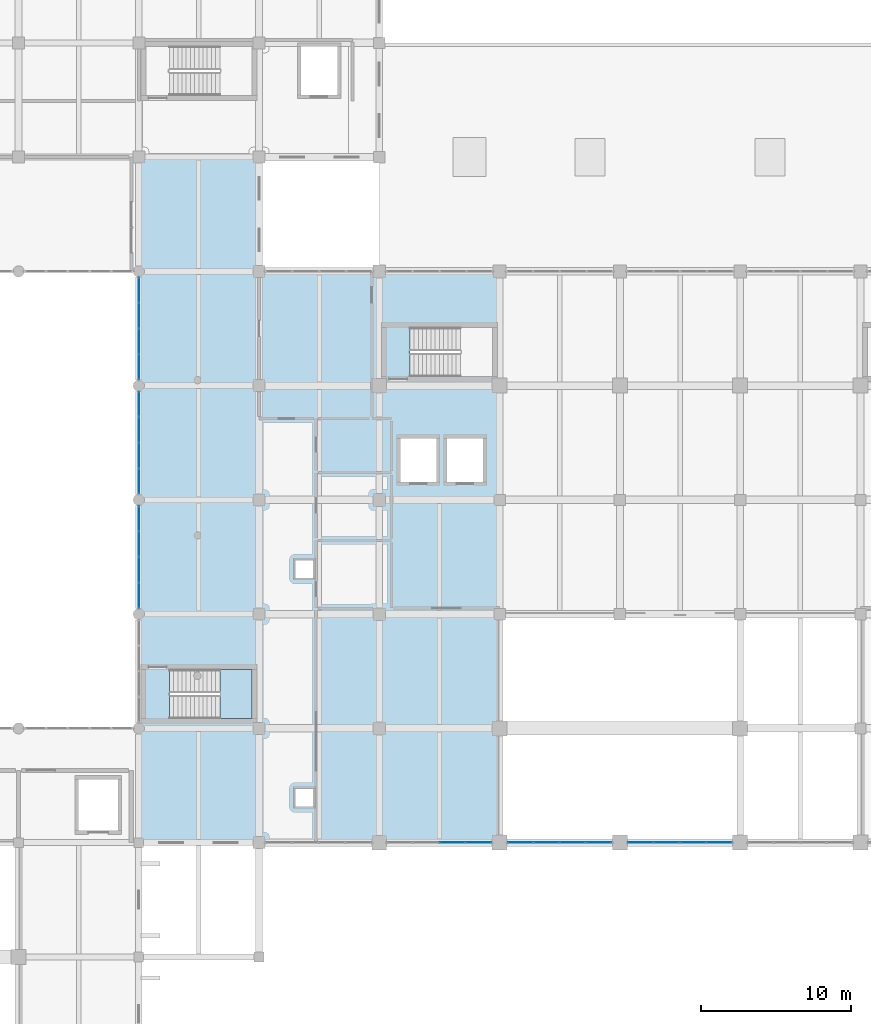
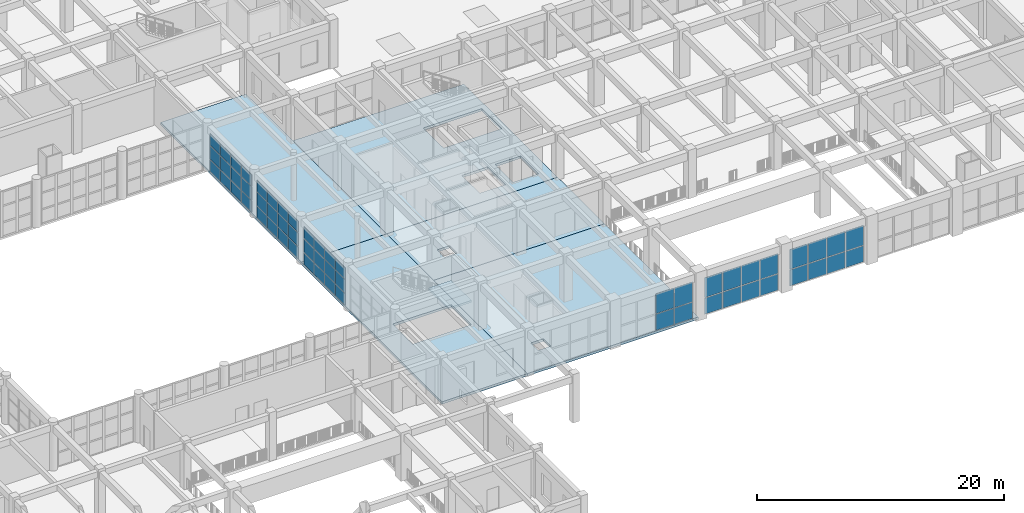
# One storey, part 63 of 101: 56 plates, 6 slabs, 7 elements without a shape of their own.
"""IFC4 building model written with IfcOpenShell, lengths in metres."""

from ifc_helpers import new_model, si_unit, direction, frame, origin, origin_2d, place, context, subcontext, project, spatial, polyline, rectangle, outline, extrude, material, layer, layer_set, type_object, element, aggregate, save


model = new_model("IFC4")

# Units and contexts
model_context = context("Model", 3, precision=1e-05, world=origin(), true_north=direction((0.0, 1.0)))
body_context = subcontext(model_context, "Body", "Model", "MODEL_VIEW")
ifc_project = project(units=[si_unit("LENGTHUNIT", "METRE"), si_unit("AREAUNIT", "SQUARE_METRE"), si_unit("VOLUMEUNIT", "CUBIC_METRE"), si_unit("PLANEANGLEUNIT", "RADIAN"), si_unit("MASSUNIT", "GRAM", prefix="KILO")], contexts=[model_context])

# Site, building, storey
site_placement = place(None, origin())
site = spatial("IfcSite", under=ifc_project, at=site_placement, CompositionType="ELEMENT")
building_placement = place(site_placement, origin())
building = spatial("IfcBuilding", under=site, at=building_placement, Name="Zantavel Square City Hall", CompositionType="ELEMENT")
storey_placement = place(building_placement, frame((0.0, 0.0, 5.39990234375)))
storey = spatial("IfcBuildingStorey", under=building, at=storey_placement, Name="L02", CompositionType="ELEMENT", Elevation=5.39990234375)

# Stair, slab
ifc_material_1 = material(Name="Concrete C35/45", Category="concrete")
stair_type = type_object("IfcStairType", Name="Enclosed Core Dogleg Stair L02 H4800", PredefinedType="HALF_TURN_STAIR", material=ifc_material_1)
stair_placement = place(storey_placement, origin())
stair = element("IfcStair", 1, at=stair_placement, inside=storey, type_object=stair_type, Name="L02 Exit Stair 3 West Pavilion Core", PredefinedType="HALF_TURN_STAIR")
ifc_layer_1 = layer(ifc_material_1, 0.2099609375, Name="Concrete C35/45")
ifc_layer_set_1 = layer_set([ifc_layer_1], Name="Concrete C35/45")
slab_type_1 = type_object("IfcSlabType", Name="Core Stair Half-Landing Slab C35/45", PredefinedType="LANDING", material=ifc_layer_set_1)
slab_1_placement = place(storey_placement, frame((0.0, 0.0, 2.2001953125)))
slab_1 = element("IfcSlab", 2, at=slab_1_placement, type_object=slab_type_1, Name="ST3 landing 1", PredefinedType="LANDING", context=body_context, shape_type="SweptSolid", body=[
    extrude(outline(polyline([(53.389892578125, 38.64990234375), (55.530029296875, 38.64990234375), (55.530029296875, 41.919921875), (53.389892578125, 41.919921875), (53.389892578125, 38.64990234375)])), origin(), (0.0, 0.0, 1.0), 0.199951171875),
])
aggregate(stair, [slab_1])

# Curtain wall, plates
ifc_material_2 = material(Name="Anodised aluminium 6063-T6", Category="aluminium")
curtain_wall_type_1 = type_object("IfcCurtainWallType", Name="Curtain Wall CRT 6850x3840", PredefinedType="USERDEFINED", material=ifc_material_2)
curtain_wall_1_placement = place(storey_placement, origin())
curtain_wall_1 = element("IfcCurtainWall", 3, at=curtain_wall_1_placement, inside=storey, type_object=curtain_wall_type_1, Name="L02 Glazed Curtain Wall CW-L02-079", ObjectType="GLAZED CURTAIN WALL", PredefinedType="USERDEFINED")
ifc_material_3 = material(Name="Tempered safety glass low-E double glazing", Category="glass")
ifc_layer_2 = layer(ifc_material_3, 0.028076171875, Name="Tempered safety glass low-E double glazing")
ifc_layer_set_2 = layer_set([ifc_layer_2], Name="Tempered safety glass low-E double glazing")
plate_type_1 = type_object("IfcPlateType", Name="Low-E Curtain Glazing Panel 1712x1280x28", PredefinedType="CURTAIN_PANEL", material=ifc_layer_set_2)
plate_1_placement = place(storey_placement, frame((48.0, 54.4462890625, 0.06005859375), z_axis=(0.0, 0.0, 1.0), x_axis=(0.0, 1.0, 0.0)))
plate_1 = element("IfcPlate", 4, at=plate_1_placement, type_object=plate_type_1, Name="CW-079 panel 1.1", PredefinedType="CURTAIN_PANEL", context=body_context, shape_type="SweptSolid", body=[
    extrude(rectangle(XDim=1.62255859375, YDim=0.028076171875, at=origin_2d()), origin(), (0.0, 0.0, 1.0), 1.138916015625),
])
plate_2_placement = place(storey_placement, frame((48.0, 54.4462890625, 1.25927734375), z_axis=(0.0, 0.0, 1.0), x_axis=(0.0, 1.0, 0.0)))
plate_2 = element("IfcPlate", 5, at=plate_2_placement, type_object=plate_type_1, Name="CW-079 panel 1.2", PredefinedType="CURTAIN_PANEL", context=body_context, shape_type="SweptSolid", body=[
    extrude(rectangle(XDim=1.62255859375, YDim=0.028076171875, at=origin_2d()), origin(), (0.0, 0.0, 1.0), 1.322021484375),
])
plate_3_placement = place(storey_placement, frame((48.0, 54.4462890625, 2.64111328125), z_axis=(0.0, 0.0, 1.0), x_axis=(0.0, 1.0, 0.0)))
plate_3 = element("IfcPlate", 6, at=plate_3_placement, type_object=plate_type_1, Name="CW-079 panel 1.3", PredefinedType="CURTAIN_PANEL", context=body_context, shape_type="SweptSolid", body=[
    extrude(rectangle(XDim=1.62255859375, YDim=0.028076171875, at=origin_2d()), origin(), (0.0, 0.0, 1.0), 1.138916015625),
])
plate_4_placement = place(storey_placement, frame((48.0, 56.143798828125, 0.06005859375), z_axis=(0.0, 0.0, 1.0), x_axis=(0.0, 1.0, 0.0)))
plate_4 = element("IfcPlate", 7, at=plate_4_placement, type_object=plate_type_1, Name="CW-079 panel 2.1", PredefinedType="CURTAIN_PANEL", context=body_context, shape_type="SweptSolid", body=[
    extrude(rectangle(XDim=1.652587890625, YDim=0.028076171875, at=origin_2d()), origin(), (0.0, 0.0, 1.0), 1.138916015625),
])
plate_5_placement = place(storey_placement, frame((48.0, 56.143798828125, 1.25927734375), z_axis=(0.0, 0.0, 1.0), x_axis=(0.0, 1.0, 0.0)))
plate_5 = element("IfcPlate", 8, at=plate_5_placement, type_object=plate_type_1, Name="CW-079 panel 2.2", PredefinedType="CURTAIN_PANEL", context=body_context, shape_type="SweptSolid", body=[
    extrude(rectangle(XDim=1.652587890625, YDim=0.028076171875, at=origin_2d()), origin(), (0.0, 0.0, 1.0), 1.322021484375),
])
plate_6_placement = place(storey_placement, frame((48.0, 56.143798828125, 2.64111328125), z_axis=(0.0, 0.0, 1.0), x_axis=(0.0, 1.0, 0.0)))
plate_6 = element("IfcPlate", 9, at=plate_6_placement, type_object=plate_type_1, Name="CW-079 panel 2.3", PredefinedType="CURTAIN_PANEL", context=body_context, shape_type="SweptSolid", body=[
    extrude(rectangle(XDim=1.652587890625, YDim=0.028076171875, at=origin_2d()), origin(), (0.0, 0.0, 1.0), 1.138916015625),
])
plate_7_placement = place(storey_placement, frame((48.0, 57.856201171875, 0.06005859375), z_axis=(0.0, 0.0, 1.0), x_axis=(0.0, 1.0, 0.0)))
plate_7 = element("IfcPlate", 10, at=plate_7_placement, type_object=plate_type_1, Name="CW-079 panel 3.1", PredefinedType="CURTAIN_PANEL", context=body_context, shape_type="SweptSolid", body=[
    extrude(rectangle(XDim=1.652587890625, YDim=0.028076171875, at=origin_2d()), origin(), (0.0, 0.0, 1.0), 1.138916015625),
])
plate_8_placement = place(storey_placement, frame((48.0, 57.856201171875, 1.25927734375), z_axis=(0.0, 0.0, 1.0), x_axis=(0.0, 1.0, 0.0)))
plate_8 = element("IfcPlate", 11, at=plate_8_placement, type_object=plate_type_1, Name="CW-079 panel 3.2", PredefinedType="CURTAIN_PANEL", context=body_context, shape_type="SweptSolid", body=[
    extrude(rectangle(XDim=1.652587890625, YDim=0.028076171875, at=origin_2d()), origin(), (0.0, 0.0, 1.0), 1.322021484375),
])
plate_9_placement = place(storey_placement, frame((48.0, 57.856201171875, 2.64111328125), z_axis=(0.0, 0.0, 1.0), x_axis=(0.0, 1.0, 0.0)))
plate_9 = element("IfcPlate", 12, at=plate_9_placement, type_object=plate_type_1, Name="CW-079 panel 3.3", PredefinedType="CURTAIN_PANEL", context=body_context, shape_type="SweptSolid", body=[
    extrude(rectangle(XDim=1.652587890625, YDim=0.028076171875, at=origin_2d()), origin(), (0.0, 0.0, 1.0), 1.138916015625),
])
plate_10_placement = place(storey_placement, frame((48.0, 59.5537109375, 0.06005859375), z_axis=(0.0, 0.0, 1.0), x_axis=(0.0, 1.0, 0.0)))
plate_10 = element("IfcPlate", 13, at=plate_10_placement, type_object=plate_type_1, Name="CW-079 panel 4.1", PredefinedType="CURTAIN_PANEL", context=body_context, shape_type="SweptSolid", body=[
    extrude(rectangle(XDim=1.62255859375, YDim=0.028076171875, at=origin_2d()), origin(), (0.0, 0.0, 1.0), 1.138916015625),
])
plate_11_placement = place(storey_placement, frame((48.0, 59.5537109375, 1.25927734375), z_axis=(0.0, 0.0, 1.0), x_axis=(0.0, 1.0, 0.0)))
plate_11 = element("IfcPlate", 14, at=plate_11_placement, type_object=plate_type_1, Name="CW-079 panel 4.2", PredefinedType="CURTAIN_PANEL", context=body_context, shape_type="SweptSolid", body=[
    extrude(rectangle(XDim=1.62255859375, YDim=0.028076171875, at=origin_2d()), origin(), (0.0, 0.0, 1.0), 1.322021484375),
])
plate_12_placement = place(storey_placement, frame((48.0, 59.5537109375, 2.64111328125), z_axis=(0.0, 0.0, 1.0), x_axis=(0.0, 1.0, 0.0)))
plate_12 = element("IfcPlate", 15, at=plate_12_placement, type_object=plate_type_1, Name="CW-079 panel 4.3", PredefinedType="CURTAIN_PANEL", context=body_context, shape_type="SweptSolid", body=[
    extrude(rectangle(XDim=1.62255859375, YDim=0.028076171875, at=origin_2d()), origin(), (0.0, 0.0, 1.0), 1.138916015625),
])
aggregate(curtain_wall_1, [plate_1, plate_2, plate_3, plate_4, plate_5, plate_6, plate_7, plate_8, plate_9, plate_10, plate_11, plate_12])

curtain_wall_2_placement = place(storey_placement, origin())
curtain_wall_2 = element("IfcCurtainWall", 16, at=curtain_wall_2_placement, inside=storey, type_object=curtain_wall_type_1, Name="L02 Glazed Curtain Wall CW-L02-078", ObjectType="GLAZED CURTAIN WALL", PredefinedType="USERDEFINED")
ifc_layer_3 = layer(ifc_material_3, 0.028076171875, Name="Tempered safety glass low-E double glazing")
ifc_layer_set_3 = layer_set([ifc_layer_3], Name="Tempered safety glass low-E double glazing")
plate_type_2 = type_object("IfcPlateType", Name="Low-E Curtain Glazing Panel 1713x1280x28", PredefinedType="CURTAIN_PANEL", material=ifc_layer_set_3)
plate_13_placement = place(storey_placement, frame((48.0, 46.84619140625, 0.06005859375), z_axis=(0.0, 0.0, 1.0), x_axis=(0.0, 1.0, 0.0)))
plate_13 = element("IfcPlate", 17, at=plate_13_placement, type_object=plate_type_2, Name="CW-078 panel 1.1", PredefinedType="CURTAIN_PANEL", context=body_context, shape_type="SweptSolid", body=[
    extrude(rectangle(XDim=1.62255859375, YDim=0.028076171875, at=origin_2d()), origin(), (0.0, 0.0, 1.0), 1.138916015625),
])
plate_14_placement = place(storey_placement, frame((48.0, 46.84619140625, 1.25927734375), z_axis=(0.0, 0.0, 1.0), x_axis=(0.0, 1.0, 0.0)))
plate_14 = element("IfcPlate", 18, at=plate_14_placement, type_object=plate_type_2, Name="CW-078 panel 1.2", PredefinedType="CURTAIN_PANEL", context=body_context, shape_type="SweptSolid", body=[
    extrude(rectangle(XDim=1.62255859375, YDim=0.028076171875, at=origin_2d()), origin(), (0.0, 0.0, 1.0), 1.322021484375),
])
plate_15_placement = place(storey_placement, frame((48.0, 46.84619140625, 2.64111328125), z_axis=(0.0, 0.0, 1.0), x_axis=(0.0, 1.0, 0.0)))
plate_15 = element("IfcPlate", 19, at=plate_15_placement, type_object=plate_type_2, Name="CW-078 panel 1.3", PredefinedType="CURTAIN_PANEL", context=body_context, shape_type="SweptSolid", body=[
    extrude(rectangle(XDim=1.62255859375, YDim=0.028076171875, at=origin_2d()), origin(), (0.0, 0.0, 1.0), 1.138916015625),
])
plate_16_placement = place(storey_placement, frame((48.0, 48.543701171875, 0.06005859375), z_axis=(0.0, 0.0, 1.0), x_axis=(0.0, 1.0, 0.0)))
plate_16 = element("IfcPlate", 20, at=plate_16_placement, type_object=plate_type_2, Name="CW-078 panel 2.1", PredefinedType="CURTAIN_PANEL", context=body_context, shape_type="SweptSolid", body=[
    extrude(rectangle(XDim=1.652587890625, YDim=0.028076171875, at=origin_2d()), origin(), (0.0, 0.0, 1.0), 1.138916015625),
])
plate_17_placement = place(storey_placement, frame((48.0, 48.543701171875, 1.25927734375), z_axis=(0.0, 0.0, 1.0), x_axis=(0.0, 1.0, 0.0)))
plate_17 = element("IfcPlate", 21, at=plate_17_placement, type_object=plate_type_2, Name="CW-078 panel 2.2", PredefinedType="CURTAIN_PANEL", context=body_context, shape_type="SweptSolid", body=[
    extrude(rectangle(XDim=1.652587890625, YDim=0.028076171875, at=origin_2d()), origin(), (0.0, 0.0, 1.0), 1.322021484375),
])
plate_18_placement = place(storey_placement, frame((48.0, 48.543701171875, 2.64111328125), z_axis=(0.0, 0.0, 1.0), x_axis=(0.0, 1.0, 0.0)))
plate_18 = element("IfcPlate", 22, at=plate_18_placement, type_object=plate_type_2, Name="CW-078 panel 2.3", PredefinedType="CURTAIN_PANEL", context=body_context, shape_type="SweptSolid", body=[
    extrude(rectangle(XDim=1.652587890625, YDim=0.028076171875, at=origin_2d()), origin(), (0.0, 0.0, 1.0), 1.138916015625),
])
plate_19_placement = place(storey_placement, frame((48.0, 50.25634765625, 0.06005859375), z_axis=(0.0, 0.0, 1.0), x_axis=(0.0, 1.0, 0.0)))
plate_19 = element("IfcPlate", 23, at=plate_19_placement, type_object=plate_type_2, Name="CW-078 panel 3.1", PredefinedType="CURTAIN_PANEL", context=body_context, shape_type="SweptSolid", body=[
    extrude(rectangle(XDim=1.652587890625, YDim=0.028076171875, at=origin_2d()), origin(), (0.0, 0.0, 1.0), 1.138916015625),
])
plate_20_placement = place(storey_placement, frame((48.0, 50.25634765625, 1.25927734375), z_axis=(0.0, 0.0, 1.0), x_axis=(0.0, 1.0, 0.0)))
plate_20 = element("IfcPlate", 24, at=plate_20_placement, type_object=plate_type_2, Name="CW-078 panel 3.2", PredefinedType="CURTAIN_PANEL", context=body_context, shape_type="SweptSolid", body=[
    extrude(rectangle(XDim=1.652587890625, YDim=0.028076171875, at=origin_2d()), origin(), (0.0, 0.0, 1.0), 1.322021484375),
])
plate_21_placement = place(storey_placement, frame((48.0, 50.25634765625, 2.64111328125), z_axis=(0.0, 0.0, 1.0), x_axis=(0.0, 1.0, 0.0)))
plate_21 = element("IfcPlate", 25, at=plate_21_placement, type_object=plate_type_2, Name="CW-078 panel 3.3", PredefinedType="CURTAIN_PANEL", context=body_context, shape_type="SweptSolid", body=[
    extrude(rectangle(XDim=1.652587890625, YDim=0.028076171875, at=origin_2d()), origin(), (0.0, 0.0, 1.0), 1.138916015625),
])
plate_22_placement = place(storey_placement, frame((48.0, 51.953857421875, 0.06005859375), z_axis=(0.0, 0.0, 1.0), x_axis=(0.0, 1.0, 0.0)))
plate_22 = element("IfcPlate", 26, at=plate_22_placement, type_object=plate_type_2, Name="CW-078 panel 4.1", PredefinedType="CURTAIN_PANEL", context=body_context, shape_type="SweptSolid", body=[
    extrude(rectangle(XDim=1.62255859375, YDim=0.028076171875, at=origin_2d()), origin(), (0.0, 0.0, 1.0), 1.138916015625),
])
plate_23_placement = place(storey_placement, frame((48.0, 51.953857421875, 1.25927734375), z_axis=(0.0, 0.0, 1.0), x_axis=(0.0, 1.0, 0.0)))
plate_23 = element("IfcPlate", 27, at=plate_23_placement, type_object=plate_type_2, Name="CW-078 panel 4.2", PredefinedType="CURTAIN_PANEL", context=body_context, shape_type="SweptSolid", body=[
    extrude(rectangle(XDim=1.62255859375, YDim=0.028076171875, at=origin_2d()), origin(), (0.0, 0.0, 1.0), 1.322021484375),
])
plate_24_placement = place(storey_placement, frame((48.0, 51.953857421875, 2.64111328125), z_axis=(0.0, 0.0, 1.0), x_axis=(0.0, 1.0, 0.0)))
plate_24 = element("IfcPlate", 28, at=plate_24_placement, type_object=plate_type_2, Name="CW-078 panel 4.3", PredefinedType="CURTAIN_PANEL", context=body_context, shape_type="SweptSolid", body=[
    extrude(rectangle(XDim=1.62255859375, YDim=0.028076171875, at=origin_2d()), origin(), (0.0, 0.0, 1.0), 1.138916015625),
])
aggregate(curtain_wall_2, [plate_13, plate_14, plate_15, plate_16, plate_17, plate_18, plate_19, plate_20, plate_21, plate_22, plate_23, plate_24])

curtain_wall_3_placement = place(storey_placement, origin())
curtain_wall_3 = element("IfcCurtainWall", 29, at=curtain_wall_3_placement, inside=storey, type_object=curtain_wall_type_1, Name="L02 Glazed Curtain Wall CW-L02-080", ObjectType="GLAZED CURTAIN WALL", PredefinedType="USERDEFINED")
plate_25_placement = place(storey_placement, frame((48.0, 62.046142578125, 0.06005859375), z_axis=(0.0, 0.0, 1.0), x_axis=(0.0, 1.0, 0.0)))
plate_25 = element("IfcPlate", 30, at=plate_25_placement, type_object=plate_type_2, Name="CW-080 panel 1.1", PredefinedType="CURTAIN_PANEL", context=body_context, shape_type="SweptSolid", body=[
    extrude(rectangle(XDim=1.62255859375, YDim=0.028076171875, at=origin_2d()), origin(), (0.0, 0.0, 1.0), 1.138916015625),
])
plate_26_placement = place(storey_placement, frame((48.0, 62.046142578125, 1.25927734375), z_axis=(0.0, 0.0, 1.0), x_axis=(0.0, 1.0, 0.0)))
plate_26 = element("IfcPlate", 31, at=plate_26_placement, type_object=plate_type_2, Name="CW-080 panel 1.2", PredefinedType="CURTAIN_PANEL", context=body_context, shape_type="SweptSolid", body=[
    extrude(rectangle(XDim=1.62255859375, YDim=0.028076171875, at=origin_2d()), origin(), (0.0, 0.0, 1.0), 1.322021484375),
])
plate_27_placement = place(storey_placement, frame((48.0, 62.046142578125, 2.64111328125), z_axis=(0.0, 0.0, 1.0), x_axis=(0.0, 1.0, 0.0)))
plate_27 = element("IfcPlate", 32, at=plate_27_placement, type_object=plate_type_2, Name="CW-080 panel 1.3", PredefinedType="CURTAIN_PANEL", context=body_context, shape_type="SweptSolid", body=[
    extrude(rectangle(XDim=1.62255859375, YDim=0.028076171875, at=origin_2d()), origin(), (0.0, 0.0, 1.0), 1.138916015625),
])
plate_28_placement = place(storey_placement, frame((48.0, 63.74365234375, 0.06005859375), z_axis=(0.0, 0.0, 1.0), x_axis=(0.0, 1.0, 0.0)))
plate_28 = element("IfcPlate", 33, at=plate_28_placement, type_object=plate_type_2, Name="CW-080 panel 2.1", PredefinedType="CURTAIN_PANEL", context=body_context, shape_type="SweptSolid", body=[
    extrude(rectangle(XDim=1.652587890625, YDim=0.028076171875, at=origin_2d()), origin(), (0.0, 0.0, 1.0), 1.138916015625),
])
plate_29_placement = place(storey_placement, frame((48.0, 63.74365234375, 1.25927734375), z_axis=(0.0, 0.0, 1.0), x_axis=(0.0, 1.0, 0.0)))
plate_29 = element("IfcPlate", 34, at=plate_29_placement, type_object=plate_type_2, Name="CW-080 panel 2.2", PredefinedType="CURTAIN_PANEL", context=body_context, shape_type="SweptSolid", body=[
    extrude(rectangle(XDim=1.652587890625, YDim=0.028076171875, at=origin_2d()), origin(), (0.0, 0.0, 1.0), 1.322021484375),
])
plate_30_placement = place(storey_placement, frame((48.0, 63.74365234375, 2.64111328125), z_axis=(0.0, 0.0, 1.0), x_axis=(0.0, 1.0, 0.0)))
plate_30 = element("IfcPlate", 35, at=plate_30_placement, type_object=plate_type_2, Name="CW-080 panel 2.3", PredefinedType="CURTAIN_PANEL", context=body_context, shape_type="SweptSolid", body=[
    extrude(rectangle(XDim=1.652587890625, YDim=0.028076171875, at=origin_2d()), origin(), (0.0, 0.0, 1.0), 1.138916015625),
])
plate_31_placement = place(storey_placement, frame((48.0, 65.456298828125, 0.06005859375), z_axis=(0.0, 0.0, 1.0), x_axis=(0.0, 1.0, 0.0)))
plate_31 = element("IfcPlate", 36, at=plate_31_placement, type_object=plate_type_2, Name="CW-080 panel 3.1", PredefinedType="CURTAIN_PANEL", context=body_context, shape_type="SweptSolid", body=[
    extrude(rectangle(XDim=1.652587890625, YDim=0.028076171875, at=origin_2d()), origin(), (0.0, 0.0, 1.0), 1.138916015625),
])
plate_32_placement = place(storey_placement, frame((48.0, 65.456298828125, 1.25927734375), z_axis=(0.0, 0.0, 1.0), x_axis=(0.0, 1.0, 0.0)))
plate_32 = element("IfcPlate", 37, at=plate_32_placement, type_object=plate_type_2, Name="CW-080 panel 3.2", PredefinedType="CURTAIN_PANEL", context=body_context, shape_type="SweptSolid", body=[
    extrude(rectangle(XDim=1.652587890625, YDim=0.028076171875, at=origin_2d()), origin(), (0.0, 0.0, 1.0), 1.322021484375),
])
plate_33_placement = place(storey_placement, frame((48.0, 65.456298828125, 2.64111328125), z_axis=(0.0, 0.0, 1.0), x_axis=(0.0, 1.0, 0.0)))
plate_33 = element("IfcPlate", 38, at=plate_33_placement, type_object=plate_type_2, Name="CW-080 panel 3.3", PredefinedType="CURTAIN_PANEL", context=body_context, shape_type="SweptSolid", body=[
    extrude(rectangle(XDim=1.652587890625, YDim=0.028076171875, at=origin_2d()), origin(), (0.0, 0.0, 1.0), 1.138916015625),
])
plate_34_placement = place(storey_placement, frame((48.0, 67.15380859375, 0.06005859375), z_axis=(0.0, 0.0, 1.0), x_axis=(0.0, 1.0, 0.0)))
plate_34 = element("IfcPlate", 39, at=plate_34_placement, type_object=plate_type_2, Name="CW-080 panel 4.1", PredefinedType="CURTAIN_PANEL", context=body_context, shape_type="SweptSolid", body=[
    extrude(rectangle(XDim=1.62255859375, YDim=0.028076171875, at=origin_2d()), origin(), (0.0, 0.0, 1.0), 1.138916015625),
])
plate_35_placement = place(storey_placement, frame((48.0, 67.15380859375, 1.25927734375), z_axis=(0.0, 0.0, 1.0), x_axis=(0.0, 1.0, 0.0)))
plate_35 = element("IfcPlate", 40, at=plate_35_placement, type_object=plate_type_2, Name="CW-080 panel 4.2", PredefinedType="CURTAIN_PANEL", context=body_context, shape_type="SweptSolid", body=[
    extrude(rectangle(XDim=1.62255859375, YDim=0.028076171875, at=origin_2d()), origin(), (0.0, 0.0, 1.0), 1.322021484375),
])
plate_36_placement = place(storey_placement, frame((48.0, 67.15380859375, 2.64111328125), z_axis=(0.0, 0.0, 1.0), x_axis=(0.0, 1.0, 0.0)))
plate_36 = element("IfcPlate", 41, at=plate_36_placement, type_object=plate_type_2, Name="CW-080 panel 4.3", PredefinedType="CURTAIN_PANEL", context=body_context, shape_type="SweptSolid", body=[
    extrude(rectangle(XDim=1.62255859375, YDim=0.028076171875, at=origin_2d()), origin(), (0.0, 0.0, 1.0), 1.138916015625),
])
aggregate(curtain_wall_3, [plate_25, plate_26, plate_27, plate_28, plate_29, plate_30, plate_31, plate_32, plate_33, plate_34, plate_35, plate_36])

curtain_wall_type_2 = type_object("IfcCurtainWallType", Name="Curtain Wall TRV1 7000x3740", PredefinedType="USERDEFINED", material=ifc_material_2)
curtain_wall_4_placement = place(storey_placement, origin())
curtain_wall_4 = element("IfcCurtainWall", 42, at=curtain_wall_4_placement, inside=storey, type_object=curtain_wall_type_2, Name="L02 Glazed Curtain Wall CW-L02-047", ObjectType="GLAZED CURTAIN WALL", PredefinedType="USERDEFINED")
ifc_layer_4 = layer(ifc_material_3, 0.028076171875, Name="Tempered safety glass low-E double glazing")
ifc_layer_set_4 = layer_set([ifc_layer_4], Name="Tempered safety glass low-E double glazing")
plate_type_3 = type_object("IfcPlateType", Name="Low-E Curtain Glazing Panel 1750x1870x28", PredefinedType="CURTAIN_PANEL", material=ifc_layer_set_4)
plate_37_placement = place(storey_placement, frame((86.610107421875, 30.39990234375, 0.06005859375), z_axis=(0.0, 0.0, 1.0), x_axis=(-1.0, 0.0, 0.0)))
plate_37 = element("IfcPlate", 43, at=plate_37_placement, type_object=plate_type_3, Name="CW-047 panel 1.1", PredefinedType="CURTAIN_PANEL", context=body_context, shape_type="SweptSolid", body=[
    extrude(rectangle(XDim=1.659912109375, YDim=0.028076171875, at=origin_2d()), origin(), (0.0, 0.0, 1.0), 1.593017578125),
])
plate_38_placement = place(storey_placement, frame((86.610107421875, 30.39990234375, 1.712890625), z_axis=(0.0, 0.0, 1.0), x_axis=(-1.0, 0.0, 0.0)))
plate_38 = element("IfcPlate", 44, at=plate_38_placement, type_object=plate_type_3, Name="CW-047 panel 1.2", PredefinedType="CURTAIN_PANEL", context=body_context, shape_type="SweptSolid", body=[
    extrude(rectangle(XDim=1.659912109375, YDim=0.028076171875, at=origin_2d()), origin(), (0.0, 0.0, 1.0), 1.967041015625),
])
plate_39_placement = place(storey_placement, frame((84.875, 30.39990234375, 0.06005859375), z_axis=(0.0, 0.0, 1.0), x_axis=(-1.0, 0.0, 0.0)))
plate_39 = element("IfcPlate", 45, at=plate_39_placement, type_object=plate_type_3, Name="CW-047 panel 2.1", PredefinedType="CURTAIN_PANEL", context=body_context, shape_type="SweptSolid", body=[
    extrude(rectangle(XDim=1.68994140625, YDim=0.028076171875, at=origin_2d()), origin(), (0.0, 0.0, 1.0), 1.593017578125),
])
plate_40_placement = place(storey_placement, frame((84.875, 30.39990234375, 1.712890625), z_axis=(0.0, 0.0, 1.0), x_axis=(-1.0, 0.0, 0.0)))
plate_40 = element("IfcPlate", 46, at=plate_40_placement, type_object=plate_type_3, Name="CW-047 panel 2.2", PredefinedType="CURTAIN_PANEL", context=body_context, shape_type="SweptSolid", body=[
    extrude(rectangle(XDim=1.68994140625, YDim=0.028076171875, at=origin_2d()), origin(), (0.0, 0.0, 1.0), 1.967041015625),
])
plate_41_placement = place(storey_placement, frame((83.125, 30.39990234375, 0.06005859375), z_axis=(0.0, 0.0, 1.0), x_axis=(-1.0, 0.0, 0.0)))
plate_41 = element("IfcPlate", 47, at=plate_41_placement, type_object=plate_type_3, Name="CW-047 panel 3.1", PredefinedType="CURTAIN_PANEL", context=body_context, shape_type="SweptSolid", body=[
    extrude(rectangle(XDim=1.68994140625, YDim=0.028076171875, at=origin_2d()), origin(), (0.0, 0.0, 1.0), 1.593017578125),
])
plate_42_placement = place(storey_placement, frame((83.125, 30.39990234375, 1.712890625), z_axis=(0.0, 0.0, 1.0), x_axis=(-1.0, 0.0, 0.0)))
plate_42 = element("IfcPlate", 48, at=plate_42_placement, type_object=plate_type_3, Name="CW-047 panel 3.2", PredefinedType="CURTAIN_PANEL", context=body_context, shape_type="SweptSolid", body=[
    extrude(rectangle(XDim=1.68994140625, YDim=0.028076171875, at=origin_2d()), origin(), (0.0, 0.0, 1.0), 1.967041015625),
])
plate_43_placement = place(storey_placement, frame((81.389892578125, 30.39990234375, 0.06005859375), z_axis=(0.0, 0.0, 1.0), x_axis=(-1.0, 0.0, 0.0)))
plate_43 = element("IfcPlate", 49, at=plate_43_placement, type_object=plate_type_3, Name="CW-047 panel 4.1", PredefinedType="CURTAIN_PANEL", context=body_context, shape_type="SweptSolid", body=[
    extrude(rectangle(XDim=1.659912109375, YDim=0.028076171875, at=origin_2d()), origin(), (0.0, 0.0, 1.0), 1.593017578125),
])
plate_44_placement = place(storey_placement, frame((81.389892578125, 30.39990234375, 1.712890625), z_axis=(0.0, 0.0, 1.0), x_axis=(-1.0, 0.0, 0.0)))
plate_44 = element("IfcPlate", 50, at=plate_44_placement, type_object=plate_type_3, Name="CW-047 panel 4.2", PredefinedType="CURTAIN_PANEL", context=body_context, shape_type="SweptSolid", body=[
    extrude(rectangle(XDim=1.659912109375, YDim=0.028076171875, at=origin_2d()), origin(), (0.0, 0.0, 1.0), 1.967041015625),
])
aggregate(curtain_wall_4, [plate_37, plate_38, plate_39, plate_40, plate_41, plate_42, plate_43, plate_44])

curtain_wall_5_placement = place(storey_placement, origin())
curtain_wall_5 = element("IfcCurtainWall", 51, at=curtain_wall_5_placement, inside=storey, type_object=curtain_wall_type_2, Name="L02 Glazed Curtain Wall CW-L02-048", ObjectType="GLAZED CURTAIN WALL", PredefinedType="USERDEFINED")
plate_45_placement = place(storey_placement, frame((78.610107421875, 30.39990234375, 0.06005859375), z_axis=(0.0, 0.0, 1.0), x_axis=(-1.0, 0.0, 0.0)))
plate_45 = element("IfcPlate", 52, at=plate_45_placement, type_object=plate_type_3, Name="CW-048 panel 1.1", PredefinedType="CURTAIN_PANEL", context=body_context, shape_type="SweptSolid", body=[
    extrude(rectangle(XDim=1.659912109375, YDim=0.028076171875, at=origin_2d()), origin(), (0.0, 0.0, 1.0), 1.593017578125),
])
plate_46_placement = place(storey_placement, frame((78.610107421875, 30.39990234375, 1.712890625), z_axis=(0.0, 0.0, 1.0), x_axis=(-1.0, 0.0, 0.0)))
plate_46 = element("IfcPlate", 53, at=plate_46_placement, type_object=plate_type_3, Name="CW-048 panel 1.2", PredefinedType="CURTAIN_PANEL", context=body_context, shape_type="SweptSolid", body=[
    extrude(rectangle(XDim=1.659912109375, YDim=0.028076171875, at=origin_2d()), origin(), (0.0, 0.0, 1.0), 1.967041015625),
])
plate_47_placement = place(storey_placement, frame((76.875, 30.39990234375, 0.06005859375), z_axis=(0.0, 0.0, 1.0), x_axis=(-1.0, 0.0, 0.0)))
plate_47 = element("IfcPlate", 54, at=plate_47_placement, type_object=plate_type_3, Name="CW-048 panel 2.1", PredefinedType="CURTAIN_PANEL", context=body_context, shape_type="SweptSolid", body=[
    extrude(rectangle(XDim=1.68994140625, YDim=0.028076171875, at=origin_2d()), origin(), (0.0, 0.0, 1.0), 1.593017578125),
])
plate_48_placement = place(storey_placement, frame((76.875, 30.39990234375, 1.712890625), z_axis=(0.0, 0.0, 1.0), x_axis=(-1.0, 0.0, 0.0)))
plate_48 = element("IfcPlate", 55, at=plate_48_placement, type_object=plate_type_3, Name="CW-048 panel 2.2", PredefinedType="CURTAIN_PANEL", context=body_context, shape_type="SweptSolid", body=[
    extrude(rectangle(XDim=1.68994140625, YDim=0.028076171875, at=origin_2d()), origin(), (0.0, 0.0, 1.0), 1.967041015625),
])
plate_49_placement = place(storey_placement, frame((75.125, 30.39990234375, 0.06005859375), z_axis=(0.0, 0.0, 1.0), x_axis=(-1.0, 0.0, 0.0)))
plate_49 = element("IfcPlate", 56, at=plate_49_placement, type_object=plate_type_3, Name="CW-048 panel 3.1", PredefinedType="CURTAIN_PANEL", context=body_context, shape_type="SweptSolid", body=[
    extrude(rectangle(XDim=1.68994140625, YDim=0.028076171875, at=origin_2d()), origin(), (0.0, 0.0, 1.0), 1.593017578125),
])
plate_50_placement = place(storey_placement, frame((75.125, 30.39990234375, 1.712890625), z_axis=(0.0, 0.0, 1.0), x_axis=(-1.0, 0.0, 0.0)))
plate_50 = element("IfcPlate", 57, at=plate_50_placement, type_object=plate_type_3, Name="CW-048 panel 3.2", PredefinedType="CURTAIN_PANEL", context=body_context, shape_type="SweptSolid", body=[
    extrude(rectangle(XDim=1.68994140625, YDim=0.028076171875, at=origin_2d()), origin(), (0.0, 0.0, 1.0), 1.967041015625),
])
plate_51_placement = place(storey_placement, frame((73.389892578125, 30.39990234375, 0.06005859375), z_axis=(0.0, 0.0, 1.0), x_axis=(-1.0, 0.0, 0.0)))
plate_51 = element("IfcPlate", 58, at=plate_51_placement, type_object=plate_type_3, Name="CW-048 panel 4.1", PredefinedType="CURTAIN_PANEL", context=body_context, shape_type="SweptSolid", body=[
    extrude(rectangle(XDim=1.659912109375, YDim=0.028076171875, at=origin_2d()), origin(), (0.0, 0.0, 1.0), 1.593017578125),
])
plate_52_placement = place(storey_placement, frame((73.389892578125, 30.39990234375, 1.712890625), z_axis=(0.0, 0.0, 1.0), x_axis=(-1.0, 0.0, 0.0)))
plate_52 = element("IfcPlate", 59, at=plate_52_placement, type_object=plate_type_3, Name="CW-048 panel 4.2", PredefinedType="CURTAIN_PANEL", context=body_context, shape_type="SweptSolid", body=[
    extrude(rectangle(XDim=1.659912109375, YDim=0.028076171875, at=origin_2d()), origin(), (0.0, 0.0, 1.0), 1.967041015625),
])
aggregate(curtain_wall_5, [plate_45, plate_46, plate_47, plate_48, plate_49, plate_50, plate_51, plate_52])

curtain_wall_type_3 = type_object("IfcCurtainWallType", Name="Curtain Wall TRV1 7025x3740", PredefinedType="USERDEFINED", material=ifc_material_2)
curtain_wall_6_placement = place(storey_placement, origin())
curtain_wall_6 = element("IfcCurtainWall", 60, at=curtain_wall_6_placement, inside=storey, type_object=curtain_wall_type_3, Name="L02 Glazed Curtain Wall CW-L02-049", ObjectType="GLAZED CURTAIN WALL", PredefinedType="USERDEFINED")
ifc_layer_5 = layer(ifc_material_3, 0.028076171875, Name="Tempered safety glass low-E double glazing")
ifc_layer_set_5 = layer_set([ifc_layer_5], Name="Tempered safety glass low-E double glazing")
plate_type_4 = type_object("IfcPlateType", Name="Low-E Curtain Glazing Panel 1756x1870x28", PredefinedType="CURTAIN_PANEL", material=ifc_layer_set_5)
plate_53_placement = place(storey_placement, frame((70.60693359375, 30.39990234375, 0.06005859375), z_axis=(0.0, 0.0, 1.0), x_axis=(-1.0, 0.0, 0.0)))
plate_53 = element("IfcPlate", 61, at=plate_53_placement, type_object=plate_type_4, Name="CW-049 panel 1.1", PredefinedType="CURTAIN_PANEL", context=body_context, shape_type="SweptSolid", body=[
    extrude(rectangle(XDim=1.666259765625, YDim=0.028076171875, at=origin_2d()), origin(), (0.0, 0.0, 1.0), 1.593017578125),
])
plate_54_placement = place(storey_placement, frame((70.60693359375, 30.39990234375, 1.712890625), z_axis=(0.0, 0.0, 1.0), x_axis=(-1.0, 0.0, 0.0)))
plate_54 = element("IfcPlate", 62, at=plate_54_placement, type_object=plate_type_4, Name="CW-049 panel 1.2", PredefinedType="CURTAIN_PANEL", context=body_context, shape_type="SweptSolid", body=[
    extrude(rectangle(XDim=1.666259765625, YDim=0.028076171875, at=origin_2d()), origin(), (0.0, 0.0, 1.0), 1.967041015625),
])
plate_55_placement = place(storey_placement, frame((68.86572265625, 30.39990234375, 0.06005859375), z_axis=(0.0, 0.0, 1.0), x_axis=(-1.0, 0.0, 0.0)))
plate_55 = element("IfcPlate", 63, at=plate_55_placement, type_object=plate_type_4, Name="CW-049 panel 2.1", PredefinedType="CURTAIN_PANEL", context=body_context, shape_type="SweptSolid", body=[
    extrude(rectangle(XDim=1.6962890625, YDim=0.028076171875, at=origin_2d()), origin(), (0.0, 0.0, 1.0), 1.593017578125),
])
plate_56_placement = place(storey_placement, frame((68.86572265625, 30.39990234375, 1.712890625), z_axis=(0.0, 0.0, 1.0), x_axis=(-1.0, 0.0, 0.0)))
plate_56 = element("IfcPlate", 64, at=plate_56_placement, type_object=plate_type_4, Name="CW-049 panel 2.2", PredefinedType="CURTAIN_PANEL", context=body_context, shape_type="SweptSolid", body=[
    extrude(rectangle(XDim=1.6962890625, YDim=0.028076171875, at=origin_2d()), origin(), (0.0, 0.0, 1.0), 1.967041015625),
])
aggregate(curtain_wall_6, [plate_53, plate_54, plate_55, plate_56])

# Slabs
ifc_layer_6 = layer(ifc_material_1, 0.239990234375, Name="Concrete C35/45")
ifc_layer_set_6 = layer_set([ifc_layer_6], Name="Concrete C35/45")
slab_type_2 = type_object("IfcSlabType", Name="Standard Office Floor Slab 240mm C35/45", PredefinedType="FLOOR", material=ifc_layer_set_6)
slab_2_placement = place(storey_placement, frame((0.0, 0.0, -0.239990234375)))
element("IfcSlab", 65, at=slab_2_placement, inside=storey, type_object=slab_type_2, Name="L02 Floor Slab SLB-L02-V1-01", PredefinedType="FLOOR", context=body_context, shape_type="SweptSolid", body=[
    extrude(outline(polyline([(72.0, 45.60009765625), (72.0, 30.39990234375), (56.0, 30.39990234375), (56.0, 45.60009765625), (72.0, 45.60009765625)]), holes=[polyline([(59.60009765625, 34.0), (58.39990234375, 34.0), (58.39990234375, 32.800048828125), (59.60009765625, 32.800048828125), (59.60009765625, 34.0)])]), origin(), (0.0, 0.0, 1.0), 0.239990234375),
])
slab_3_placement = place(storey_placement, frame((0.0, 0.0, -0.239990234375)))
element("IfcSlab", 66, at=slab_3_placement, inside=storey, type_object=slab_type_2, Name="L02 Floor Slab SLB-L02-V1-05", PredefinedType="FLOOR", context=body_context, shape_type="SweptSolid", body=[
    extrude(outline(polyline([(72.0, 45.60009765625), (72.0, 45.60009765625), (56.0, 45.60009765625), (56.0, 53.199951171875), (72.0, 53.199951171875), (72.0, 45.60009765625)]), holes=[polyline([(59.60009765625, 49.199951171875), (58.39990234375, 49.199951171875), (58.39990234375, 48.0), (59.60009765625, 48.0), (59.60009765625, 49.199951171875)])]), origin(), (0.0, 0.0, 1.0), 0.239990234375),
])
slab_4_placement = place(storey_placement, frame((0.0, 0.0, -0.239990234375)))
element("IfcSlab", 67, at=slab_4_placement, inside=storey, type_object=slab_type_2, Name="L02 Floor Slab SLB-L02-V1-09", PredefinedType="FLOOR", context=body_context, shape_type="SweptSolid", body=[
    extrude(outline(polyline([(56.0, 53.199951171875), (56.0, 68.39990234375), (72.0, 68.39990234375), (72.0, 53.199951171875), (56.0, 53.199951171875)]), holes=[polyline([(66.050048828125, 61.39990234375), (71.530029296875, 61.39990234375), (71.530029296875, 64.669921875), (66.050048828125, 64.669921875), (66.050048828125, 61.39990234375)]), polyline([(65.39990234375, 57.300048828125), (65.39990234375, 54.39990234375), (67.800048828125, 54.39990234375), (67.800048828125, 57.300048828125), (65.39990234375, 57.300048828125)]), polyline([(70.89990234375, 57.300048828125), (68.5, 57.300048828125), (68.5, 54.39990234375), (70.89990234375, 54.39990234375), (70.89990234375, 57.300048828125)])]), origin(), (0.0, 0.0, 1.0), 0.239990234375),
])
slab_5_placement = place(storey_placement, frame((0.0, 0.0, -0.239990234375)))
element("IfcSlab", 68, at=slab_5_placement, inside=storey, type_object=slab_type_2, Name="L02 Floor Slab SLB-L02-V3E-01", PredefinedType="FLOOR", context=body_context, shape_type="SweptSolid", body=[
    extrude(outline(polyline([(48.0, 30.39990234375), (48.0, 38.0), (48.0, 53.199951171875), (56.0, 53.199951171875), (56.0, 45.60009765625), (56.0, 30.39990234375), (48.0, 30.39990234375)]), holes=[polyline([(55.530029296875, 41.919921875), (50.050048828125, 41.919921875), (50.050048828125, 38.64990234375), (55.530029296875, 38.64990234375), (55.530029296875, 41.919921875)])]), origin(), (0.0, 0.0, 1.0), 0.239990234375),
])
slab_6_placement = place(storey_placement, frame((0.0, 0.0, -0.239990234375)))
element("IfcSlab", 69, at=slab_6_placement, inside=storey, type_object=slab_type_2, Name="L02 Floor Slab SLB-L02-V3E-02", PredefinedType="FLOOR", context=body_context, shape_type="SweptSolid", body=[
    extrude(outline(polyline([(56.0, 53.199951171875), (48.0, 53.199951171875), (48.0, 76.0), (56.0, 76.0), (56.0, 68.39990234375), (56.0, 53.199951171875)])), origin(), (0.0, 0.0, 1.0), 0.239990234375),
])

save(model, "model.ifc")
